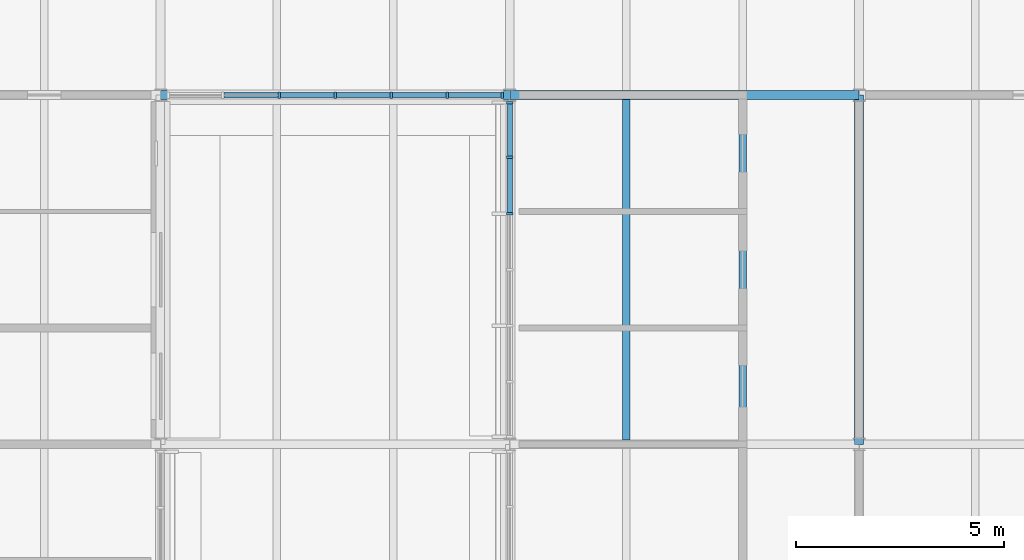
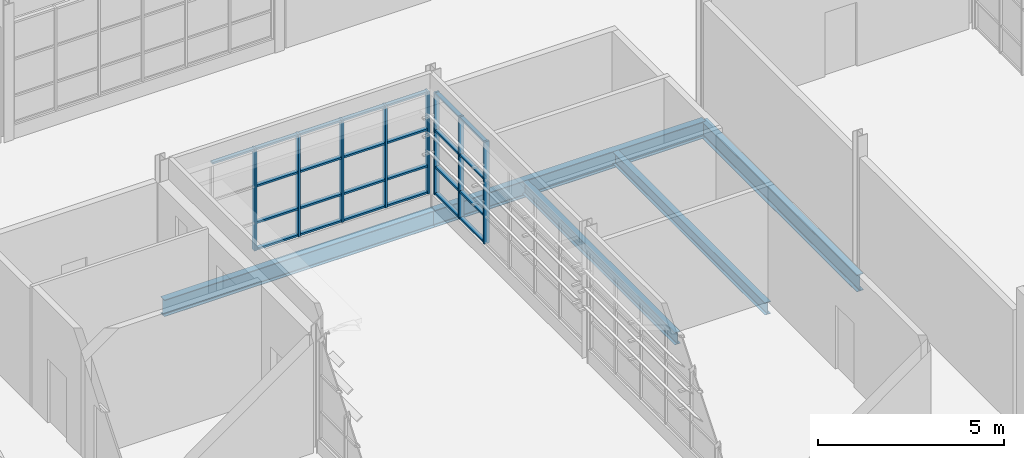
# One storey, part 49 of 116: 33 members, 5 beams, 2 elements without a shape of their own.
"""IFC4 building model written with IfcOpenShell, lengths in metres."""

from ifc_helpers import new_model, si_unit, direction, frame, origin, origin_2d, place, context, subcontext, project, spatial, rectangle, i_section, extrude, material, layer, layer_set, material_profile, profile_set, type_object, element, aggregate, save


model = new_model("IFC4")

# Units and contexts
model_context = context("Model", 3, precision=1e-05, world=origin(), true_north=direction((0.0, 1.0)))
body_context = subcontext(model_context, "Body", "Model", "MODEL_VIEW")
ifc_project = project(units=[si_unit("LENGTHUNIT", "METRE"), si_unit("AREAUNIT", "SQUARE_METRE"), si_unit("VOLUMEUNIT", "CUBIC_METRE"), si_unit("PLANEANGLEUNIT", "RADIAN"), si_unit("MASSUNIT", "GRAM", prefix="KILO")], contexts=[model_context])

# Site, building, storey
site_placement = place(None, origin())
site = spatial("IfcSite", under=ifc_project, at=site_placement, CompositionType="ELEMENT")
building_placement = place(site_placement, origin())
building = spatial("IfcBuilding", under=site, at=building_placement, Name="Ardhachandra Cancer Care Centre", CompositionType="ELEMENT")
storey_placement = place(building_placement, origin())
storey = spatial("IfcBuildingStorey", under=building, at=storey_placement, Name="L00", CompositionType="ELEMENT", Elevation=0.0)

# Beams
ifc_material_1 = material(Name="Steel E350 (IS 2062)", Category="steel")
ifc_material_profile_1 = material_profile(ifc_material_1, i_section(OverallWidth=0.179931640625, OverallDepth=0.39990234375, WebThickness=0.008544921875, FlangeThickness=0.013427734375, FilletRadius=0.02099609375, at=origin_2d()), Name="NPB 400x180x66.30")
ifc_profile_set_1 = profile_set([ifc_material_profile_1], Name="Steel E350 (IS 2062)")
beam_type_1 = type_object("IfcBeamType", Name="Beam NPB 400x180x66.30", PredefinedType="BEAM", material=ifc_profile_set_1)
for number, where, z_axis, x_axis, name in (
    (1, (131.199951171875, 46.304931640625, -0.35009765625), (0.0, 1.0, 0.0), (-1.0, 0.0, 0.0), "Secondary E15-F15@2800"),
    (2, (134.0, 46.304931640625, -0.35009765625), (0.0, 1.0, 0.0), (-1.0, 0.0, 0.0), "Secondary E15-F15@5600"),
):
    element("IfcBeam", number, at=place(storey_placement, frame(where, z_axis=z_axis, x_axis=x_axis)), inside=storey, type_object=beam_type_1, Name=name, PredefinedType="BEAM", context=body_context, shape_type="SweptSolid", body=[
        extrude(i_section(OverallWidth=0.179931640625, OverallDepth=0.39990234375, WebThickness=0.008544921875, FlangeThickness=0.013427734375, FilletRadius=0.02099609375, at=origin_2d()), origin(), (0.0, 0.0, 1.0), 8.190185546875),
    ])
ifc_material_2 = material(Name="Steel E350 (IS 2062)", Category="steel")
ifc_material_profile_2 = material_profile(ifc_material_2, i_section(OverallWidth=0.2099609375, OverallDepth=0.550048828125, WebThickness=0.010986328125, FlangeThickness=0.01708984375, FilletRadius=0.02392578125, at=origin_2d()), Name="NPB 550x210x105.52")
ifc_profile_set_2 = profile_set([ifc_material_profile_2], Name="Steel E350 (IS 2062)")
beam_type_2 = type_object("IfcBeamType", Name="Beam NPB 550x210x105.52", PredefinedType="BEAM", material=ifc_profile_set_2)
beam_placement = place(storey_placement, frame((120.0, 54.60009765625, -0.425048828125), z_axis=(1.0, 0.0, 0.0), x_axis=(0.0, 1.0, 0.0)))
element("IfcBeam", 3, at=beam_placement, inside=storey, type_object=beam_type_2, Name="Girder F14-F15", PredefinedType="BEAM", context=body_context, shape_type="SweptSolid", body=[
    extrude(i_section(OverallWidth=0.2099609375, OverallDepth=0.550048828125, WebThickness=0.010986328125, FlangeThickness=0.01708984375, FilletRadius=0.02392578125, at=origin_2d()), origin(), (0.0, 0.0, 1.0), 8.39990234375),
])
for number, where, z_axis, x_axis, name in (
    (4, (128.39990234375, 54.60009765625, -0.425048828125), (1.0, 0.0, 0.0), (0.0, 1.0, 0.0), "Girder F15-F16"),
    (5, (136.800048828125, 46.199951171875, -0.425048828125), (0.0, 1.0, 0.0), (-1.0, 0.0, 0.0), "Girder E16-F16"),
):
    element("IfcBeam", number, at=place(storey_placement, frame(where, z_axis=z_axis, x_axis=x_axis)), inside=storey, type_object=beam_type_2, Name=name, PredefinedType="BEAM", context=body_context, shape_type="SweptSolid", body=[
        extrude(i_section(OverallWidth=0.2099609375, OverallDepth=0.550048828125, WebThickness=0.010986328125, FlangeThickness=0.01708984375, FilletRadius=0.02392578125, at=origin_2d()), origin(), (0.0, 0.0, 1.0), 8.400146484375),
    ])

# Curtain wall, members
ifc_material_3 = material(Name="Aluminium extrusion", Category="aluminium")
ifc_layer = layer(ifc_material_3, 0.14990234375)
ifc_layer_set = layer_set([ifc_layer], Name="Aluminium extrusion")
curtain_wall_type = type_object("IfcCurtainWallType", Name="Curtain wall run", PredefinedType="NOTDEFINED", material=ifc_layer_set)
curtain_wall_1_placement = place(storey_placement, origin())
curtain_wall_1 = element("IfcCurtainWall", 6, at=curtain_wall_1_placement, inside=storey, type_object=curtain_wall_type, Name="Curtain wall L00 s/0120000_0054600", PredefinedType="NOTDEFINED")
ifc_material_4 = material(Name="Aluminium extrusion", Category="aluminium")
ifc_material_profile_3 = material_profile(ifc_material_4, rectangle(XDim=0.159912109375, YDim=0.06005859375, at=origin_2d()), Name="Curtain wall mullion 60 x 160")
ifc_profile_set_3 = profile_set([ifc_material_profile_3], Name="Aluminium extrusion")
member_type_1 = type_object("IfcMemberType", Name="Curtain wall mullion 60 x 160", PredefinedType="MULLION", material=ifc_profile_set_3)
member_1_placement = place(storey_placement, frame((122.85009765625, 54.60009765625, 0.449951171875), z_axis=(0.0, 0.0, 1.0), x_axis=(0.0, 1.0, 0.0)))
member_1 = element("IfcMember", 7, at=member_1_placement, type_object=member_type_1, Name="CW mullion 3", PredefinedType="MULLION", context=body_context, shape_type="SweptSolid", body=[
    extrude(rectangle(XDim=0.159912109375, YDim=0.06005859375, at=origin_2d()), origin(), (0.0, 0.0, 1.0), 3.35009765625),
])
member_2_placement = place(storey_placement, frame((124.199951171875, 54.60009765625, 0.449951171875), z_axis=(0.0, 0.0, 1.0), x_axis=(0.0, 1.0, 0.0)))
member_2 = element("IfcMember", 8, at=member_2_placement, type_object=member_type_1, Name="CW mullion 4", PredefinedType="MULLION", context=body_context, shape_type="SweptSolid", body=[
    extrude(rectangle(XDim=0.159912109375, YDim=0.06005859375, at=origin_2d()), origin(), (0.0, 0.0, 1.0), 3.35009765625),
])
member_3_placement = place(storey_placement, frame((125.550048828125, 54.60009765625, 0.449951171875), z_axis=(0.0, 0.0, 1.0), x_axis=(0.0, 1.0, 0.0)))
member_3 = element("IfcMember", 9, at=member_3_placement, type_object=member_type_1, Name="CW mullion 5", PredefinedType="MULLION", context=body_context, shape_type="SweptSolid", body=[
    extrude(rectangle(XDim=0.159912109375, YDim=0.06005859375, at=origin_2d()), origin(), (0.0, 0.0, 1.0), 3.35009765625),
])
member_4_placement = place(storey_placement, frame((126.89990234375, 54.60009765625, 0.449951171875), z_axis=(0.0, 0.0, 1.0), x_axis=(0.0, 1.0, 0.0)))
member_4 = element("IfcMember", 10, at=member_4_placement, type_object=member_type_1, Name="CW mullion 6", PredefinedType="MULLION", context=body_context, shape_type="SweptSolid", body=[
    extrude(rectangle(XDim=0.159912109375, YDim=0.06005859375, at=origin_2d()), origin(), (0.0, 0.0, 1.0), 3.35009765625),
])
member_5_placement = place(storey_placement, frame((128.219970703125, 54.60009765625, 0.449951171875), z_axis=(0.0, 0.0, 1.0), x_axis=(0.0, 1.0, 0.0)))
member_5 = element("IfcMember", 11, at=member_5_placement, type_object=member_type_1, Name="CW mullion 7", PredefinedType="MULLION", context=body_context, shape_type="SweptSolid", body=[
    extrude(rectangle(XDim=0.159912109375, YDim=0.06005859375, at=origin_2d()), origin(), (0.0, 0.0, 1.0), 3.35009765625),
])

curtain_wall_2_placement = place(storey_placement, origin())
curtain_wall_2 = element("IfcCurtainWall", 12, at=curtain_wall_2_placement, inside=storey, type_object=curtain_wall_type, Name="Curtain wall L00 w/0128400_0046200", PredefinedType="NOTDEFINED")
member_6_placement = place(storey_placement, frame((128.39990234375, 51.75, 0.449951171875), z_axis=(0.0, 0.0, 1.0), x_axis=(-1.0, 0.0, 0.0)))
member_6 = element("IfcMember", 13, at=member_6_placement, type_object=member_type_1, Name="CW mullion 5", PredefinedType="MULLION", context=body_context, shape_type="SweptSolid", body=[
    extrude(rectangle(XDim=0.159912109375, YDim=0.06005859375, at=origin_2d()), origin(), (0.0, 0.0, 1.0), 3.35009765625),
])
member_7_placement = place(storey_placement, frame((128.39990234375, 53.10009765625, 0.449951171875), z_axis=(0.0, 0.0, 1.0), x_axis=(-1.0, 0.0, 0.0)))
member_7 = element("IfcMember", 14, at=member_7_placement, type_object=member_type_1, Name="CW mullion 6", PredefinedType="MULLION", context=body_context, shape_type="SweptSolid", body=[
    extrude(rectangle(XDim=0.159912109375, YDim=0.06005859375, at=origin_2d()), origin(), (0.0, 0.0, 1.0), 3.35009765625),
])
member_8_placement = place(storey_placement, frame((128.39990234375, 54.419921875, 0.449951171875), z_axis=(0.0, 0.0, 1.0), x_axis=(-1.0, 0.0, 0.0)))
member_8 = element("IfcMember", 15, at=member_8_placement, type_object=member_type_1, Name="CW mullion 7", PredefinedType="MULLION", context=body_context, shape_type="SweptSolid", body=[
    extrude(rectangle(XDim=0.159912109375, YDim=0.06005859375, at=origin_2d()), origin(), (0.0, 0.0, 1.0), 3.35009765625),
])

# Member
ifc_material_5 = material(Name="Aluminium extrusion", Category="aluminium")
ifc_material_profile_4 = material_profile(ifc_material_5, rectangle(XDim=0.1201171875, YDim=0.06005859375, at=origin_2d()), Name="Curtain wall transom 60 x 120")
ifc_profile_set_4 = profile_set([ifc_material_profile_4], Name="Aluminium extrusion")
member_type_2 = type_object("IfcMemberType", Name="Curtain wall transom 60 x 120", PredefinedType="USERDEFINED", material=ifc_profile_set_4)
member_9_placement = place(storey_placement, frame((121.530029296875, 54.60009765625, 3.77001953125), z_axis=(1.0, 0.0, 0.0), x_axis=(0.0, 1.0, 0.0)))
member_9 = element("IfcMember", 16, at=member_9_placement, type_object=member_type_2, Name="CW transom 2.4", ObjectType="TRANSOM", PredefinedType="USERDEFINED", context=body_context, shape_type="SweptSolid", body=[
    extrude(rectangle(XDim=0.1201171875, YDim=0.06005859375, at=origin_2d()), origin(), (0.0, 0.0, 1.0), 1.2900390625),
])

member_10_placement = place(storey_placement, frame((122.8798828125, 54.60009765625, 0.47998046875), z_axis=(1.0, 0.0, 0.0), x_axis=(0.0, 1.0, 0.0)))
member_10 = element("IfcMember", 17, at=member_10_placement, type_object=member_type_2, Name="CW transom 3.1", ObjectType="TRANSOM", PredefinedType="USERDEFINED", context=body_context, shape_type="SweptSolid", body=[
    extrude(rectangle(XDim=0.1201171875, YDim=0.06005859375, at=origin_2d()), origin(), (0.0, 0.0, 1.0), 1.2900390625),
])

member_11_placement = place(storey_placement, frame((122.8798828125, 54.60009765625, 1.35009765625), z_axis=(1.0, 0.0, 0.0), x_axis=(0.0, 1.0, 0.0)))
member_11 = element("IfcMember", 18, at=member_11_placement, type_object=member_type_2, Name="CW transom 3.2", ObjectType="TRANSOM", PredefinedType="USERDEFINED", context=body_context, shape_type="SweptSolid", body=[
    extrude(rectangle(XDim=0.1201171875, YDim=0.06005859375, at=origin_2d()), origin(), (0.0, 0.0, 1.0), 1.2900390625),
])

member_12_placement = place(storey_placement, frame((122.8798828125, 54.60009765625, 2.550048828125), z_axis=(1.0, 0.0, 0.0), x_axis=(0.0, 1.0, 0.0)))
member_12 = element("IfcMember", 19, at=member_12_placement, type_object=member_type_2, Name="CW transom 3.3", ObjectType="TRANSOM", PredefinedType="USERDEFINED", context=body_context, shape_type="SweptSolid", body=[
    extrude(rectangle(XDim=0.1201171875, YDim=0.06005859375, at=origin_2d()), origin(), (0.0, 0.0, 1.0), 1.2900390625),
])

member_13_placement = place(storey_placement, frame((122.8798828125, 54.60009765625, 3.77001953125), z_axis=(1.0, 0.0, 0.0), x_axis=(0.0, 1.0, 0.0)))
member_13 = element("IfcMember", 20, at=member_13_placement, type_object=member_type_2, Name="CW transom 3.4", ObjectType="TRANSOM", PredefinedType="USERDEFINED", context=body_context, shape_type="SweptSolid", body=[
    extrude(rectangle(XDim=0.1201171875, YDim=0.06005859375, at=origin_2d()), origin(), (0.0, 0.0, 1.0), 1.2900390625),
])

member_14_placement = place(storey_placement, frame((124.22998046875, 54.60009765625, 0.47998046875), z_axis=(1.0, 0.0, 0.0), x_axis=(0.0, 1.0, 0.0)))
member_14 = element("IfcMember", 21, at=member_14_placement, type_object=member_type_2, Name="CW transom 4.1", ObjectType="TRANSOM", PredefinedType="USERDEFINED", context=body_context, shape_type="SweptSolid", body=[
    extrude(rectangle(XDim=0.1201171875, YDim=0.06005859375, at=origin_2d()), origin(), (0.0, 0.0, 1.0), 1.2900390625),
])

member_15_placement = place(storey_placement, frame((124.22998046875, 54.60009765625, 1.35009765625), z_axis=(1.0, 0.0, 0.0), x_axis=(0.0, 1.0, 0.0)))
member_15 = element("IfcMember", 22, at=member_15_placement, type_object=member_type_2, Name="CW transom 4.2", ObjectType="TRANSOM", PredefinedType="USERDEFINED", context=body_context, shape_type="SweptSolid", body=[
    extrude(rectangle(XDim=0.1201171875, YDim=0.06005859375, at=origin_2d()), origin(), (0.0, 0.0, 1.0), 1.2900390625),
])

member_16_placement = place(storey_placement, frame((124.22998046875, 54.60009765625, 2.550048828125), z_axis=(1.0, 0.0, 0.0), x_axis=(0.0, 1.0, 0.0)))
member_16 = element("IfcMember", 23, at=member_16_placement, type_object=member_type_2, Name="CW transom 4.3", ObjectType="TRANSOM", PredefinedType="USERDEFINED", context=body_context, shape_type="SweptSolid", body=[
    extrude(rectangle(XDim=0.1201171875, YDim=0.06005859375, at=origin_2d()), origin(), (0.0, 0.0, 1.0), 1.2900390625),
])

member_17_placement = place(storey_placement, frame((124.22998046875, 54.60009765625, 3.77001953125), z_axis=(1.0, 0.0, 0.0), x_axis=(0.0, 1.0, 0.0)))
member_17 = element("IfcMember", 24, at=member_17_placement, type_object=member_type_2, Name="CW transom 4.4", ObjectType="TRANSOM", PredefinedType="USERDEFINED", context=body_context, shape_type="SweptSolid", body=[
    extrude(rectangle(XDim=0.1201171875, YDim=0.06005859375, at=origin_2d()), origin(), (0.0, 0.0, 1.0), 1.2900390625),
])

member_18_placement = place(storey_placement, frame((125.580078125, 54.60009765625, 0.47998046875), z_axis=(1.0, 0.0, 0.0), x_axis=(0.0, 1.0, 0.0)))
member_18 = element("IfcMember", 25, at=member_18_placement, type_object=member_type_2, Name="CW transom 5.1", ObjectType="TRANSOM", PredefinedType="USERDEFINED", context=body_context, shape_type="SweptSolid", body=[
    extrude(rectangle(XDim=0.1201171875, YDim=0.06005859375, at=origin_2d()), origin(), (0.0, 0.0, 1.0), 1.2900390625),
])

member_19_placement = place(storey_placement, frame((125.580078125, 54.60009765625, 1.35009765625), z_axis=(1.0, 0.0, 0.0), x_axis=(0.0, 1.0, 0.0)))
member_19 = element("IfcMember", 26, at=member_19_placement, type_object=member_type_2, Name="CW transom 5.2", ObjectType="TRANSOM", PredefinedType="USERDEFINED", context=body_context, shape_type="SweptSolid", body=[
    extrude(rectangle(XDim=0.1201171875, YDim=0.06005859375, at=origin_2d()), origin(), (0.0, 0.0, 1.0), 1.2900390625),
])

member_20_placement = place(storey_placement, frame((125.580078125, 54.60009765625, 2.550048828125), z_axis=(1.0, 0.0, 0.0), x_axis=(0.0, 1.0, 0.0)))
member_20 = element("IfcMember", 27, at=member_20_placement, type_object=member_type_2, Name="CW transom 5.3", ObjectType="TRANSOM", PredefinedType="USERDEFINED", context=body_context, shape_type="SweptSolid", body=[
    extrude(rectangle(XDim=0.1201171875, YDim=0.06005859375, at=origin_2d()), origin(), (0.0, 0.0, 1.0), 1.2900390625),
])

member_21_placement = place(storey_placement, frame((125.580078125, 54.60009765625, 3.77001953125), z_axis=(1.0, 0.0, 0.0), x_axis=(0.0, 1.0, 0.0)))
member_21 = element("IfcMember", 28, at=member_21_placement, type_object=member_type_2, Name="CW transom 5.4", ObjectType="TRANSOM", PredefinedType="USERDEFINED", context=body_context, shape_type="SweptSolid", body=[
    extrude(rectangle(XDim=0.1201171875, YDim=0.06005859375, at=origin_2d()), origin(), (0.0, 0.0, 1.0), 1.2900390625),
])

member_22_placement = place(storey_placement, frame((126.929931640625, 54.60009765625, 0.47998046875), z_axis=(1.0, 0.0, 0.0), x_axis=(0.0, 1.0, 0.0)))
member_22 = element("IfcMember", 29, at=member_22_placement, type_object=member_type_2, Name="CW transom 6.1", ObjectType="TRANSOM", PredefinedType="USERDEFINED", context=body_context, shape_type="SweptSolid", body=[
    extrude(rectangle(XDim=0.1201171875, YDim=0.06005859375, at=origin_2d()), origin(), (0.0, 0.0, 1.0), 1.260009765625),
])

member_23_placement = place(storey_placement, frame((126.929931640625, 54.60009765625, 1.35009765625), z_axis=(1.0, 0.0, 0.0), x_axis=(0.0, 1.0, 0.0)))
member_23 = element("IfcMember", 30, at=member_23_placement, type_object=member_type_2, Name="CW transom 6.2", ObjectType="TRANSOM", PredefinedType="USERDEFINED", context=body_context, shape_type="SweptSolid", body=[
    extrude(rectangle(XDim=0.1201171875, YDim=0.06005859375, at=origin_2d()), origin(), (0.0, 0.0, 1.0), 1.260009765625),
])

member_24_placement = place(storey_placement, frame((126.929931640625, 54.60009765625, 2.550048828125), z_axis=(1.0, 0.0, 0.0), x_axis=(0.0, 1.0, 0.0)))
member_24 = element("IfcMember", 31, at=member_24_placement, type_object=member_type_2, Name="CW transom 6.3", ObjectType="TRANSOM", PredefinedType="USERDEFINED", context=body_context, shape_type="SweptSolid", body=[
    extrude(rectangle(XDim=0.1201171875, YDim=0.06005859375, at=origin_2d()), origin(), (0.0, 0.0, 1.0), 1.260009765625),
])

member_25_placement = place(storey_placement, frame((126.929931640625, 54.60009765625, 3.77001953125), z_axis=(1.0, 0.0, 0.0), x_axis=(0.0, 1.0, 0.0)))
member_25 = element("IfcMember", 32, at=member_25_placement, type_object=member_type_2, Name="CW transom 6.4", ObjectType="TRANSOM", PredefinedType="USERDEFINED", context=body_context, shape_type="SweptSolid", body=[
    extrude(rectangle(XDim=0.1201171875, YDim=0.06005859375, at=origin_2d()), origin(), (0.0, 0.0, 1.0), 1.260009765625),
])

aggregate(curtain_wall_1, [member_1, member_2, member_3, member_4, member_5, member_9, member_10, member_11, member_12, member_13, member_14, member_15, member_16, member_17, member_18, member_19, member_20, member_21, member_22, member_23, member_24, member_25])

member_26_placement = place(storey_placement, frame((128.39990234375, 51.780029296875, 0.47998046875), z_axis=(0.0, 1.0, 0.0), x_axis=(-1.0, 0.0, 0.0)))
member_26 = element("IfcMember", 33, at=member_26_placement, type_object=member_type_2, Name="CW transom 5.1", ObjectType="TRANSOM", PredefinedType="USERDEFINED", context=body_context, shape_type="SweptSolid", body=[
    extrude(rectangle(XDim=0.1201171875, YDim=0.06005859375, at=origin_2d()), origin(), (0.0, 0.0, 1.0), 1.2900390625),
])

member_27_placement = place(storey_placement, frame((128.39990234375, 51.780029296875, 1.35009765625), z_axis=(0.0, 1.0, 0.0), x_axis=(-1.0, 0.0, 0.0)))
member_27 = element("IfcMember", 34, at=member_27_placement, type_object=member_type_2, Name="CW transom 5.2", ObjectType="TRANSOM", PredefinedType="USERDEFINED", context=body_context, shape_type="SweptSolid", body=[
    extrude(rectangle(XDim=0.1201171875, YDim=0.06005859375, at=origin_2d()), origin(), (0.0, 0.0, 1.0), 1.2900390625),
])

member_28_placement = place(storey_placement, frame((128.39990234375, 51.780029296875, 2.550048828125), z_axis=(0.0, 1.0, 0.0), x_axis=(-1.0, 0.0, 0.0)))
member_28 = element("IfcMember", 35, at=member_28_placement, type_object=member_type_2, Name="CW transom 5.3", ObjectType="TRANSOM", PredefinedType="USERDEFINED", context=body_context, shape_type="SweptSolid", body=[
    extrude(rectangle(XDim=0.1201171875, YDim=0.06005859375, at=origin_2d()), origin(), (0.0, 0.0, 1.0), 1.2900390625),
])

member_29_placement = place(storey_placement, frame((128.39990234375, 51.780029296875, 3.77001953125), z_axis=(0.0, 1.0, 0.0), x_axis=(-1.0, 0.0, 0.0)))
member_29 = element("IfcMember", 36, at=member_29_placement, type_object=member_type_2, Name="CW transom 5.4", ObjectType="TRANSOM", PredefinedType="USERDEFINED", context=body_context, shape_type="SweptSolid", body=[
    extrude(rectangle(XDim=0.1201171875, YDim=0.06005859375, at=origin_2d()), origin(), (0.0, 0.0, 1.0), 1.2900390625),
])

member_30_placement = place(storey_placement, frame((128.39990234375, 53.1298828125, 0.47998046875), z_axis=(0.0, 1.0, 0.0), x_axis=(-1.0, 0.0, 0.0)))
member_30 = element("IfcMember", 37, at=member_30_placement, type_object=member_type_2, Name="CW transom 6.1", ObjectType="TRANSOM", PredefinedType="USERDEFINED", context=body_context, shape_type="SweptSolid", body=[
    extrude(rectangle(XDim=0.1201171875, YDim=0.06005859375, at=origin_2d()), origin(), (0.0, 0.0, 1.0), 1.260009765625),
])

member_31_placement = place(storey_placement, frame((128.39990234375, 53.1298828125, 1.35009765625), z_axis=(0.0, 1.0, 0.0), x_axis=(-1.0, 0.0, 0.0)))
member_31 = element("IfcMember", 38, at=member_31_placement, type_object=member_type_2, Name="CW transom 6.2", ObjectType="TRANSOM", PredefinedType="USERDEFINED", context=body_context, shape_type="SweptSolid", body=[
    extrude(rectangle(XDim=0.1201171875, YDim=0.06005859375, at=origin_2d()), origin(), (0.0, 0.0, 1.0), 1.260009765625),
])

member_32_placement = place(storey_placement, frame((128.39990234375, 53.1298828125, 2.550048828125), z_axis=(0.0, 1.0, 0.0), x_axis=(-1.0, 0.0, 0.0)))
member_32 = element("IfcMember", 39, at=member_32_placement, type_object=member_type_2, Name="CW transom 6.3", ObjectType="TRANSOM", PredefinedType="USERDEFINED", context=body_context, shape_type="SweptSolid", body=[
    extrude(rectangle(XDim=0.1201171875, YDim=0.06005859375, at=origin_2d()), origin(), (0.0, 0.0, 1.0), 1.260009765625),
])

member_33_placement = place(storey_placement, frame((128.39990234375, 53.1298828125, 3.77001953125), z_axis=(0.0, 1.0, 0.0), x_axis=(-1.0, 0.0, 0.0)))
member_33 = element("IfcMember", 40, at=member_33_placement, type_object=member_type_2, Name="CW transom 6.4", ObjectType="TRANSOM", PredefinedType="USERDEFINED", context=body_context, shape_type="SweptSolid", body=[
    extrude(rectangle(XDim=0.1201171875, YDim=0.06005859375, at=origin_2d()), origin(), (0.0, 0.0, 1.0), 1.260009765625),
])

aggregate(curtain_wall_2, [member_6, member_7, member_8, member_26, member_27, member_28, member_29, member_30, member_31, member_32, member_33])

save(model, "model.ifc")
